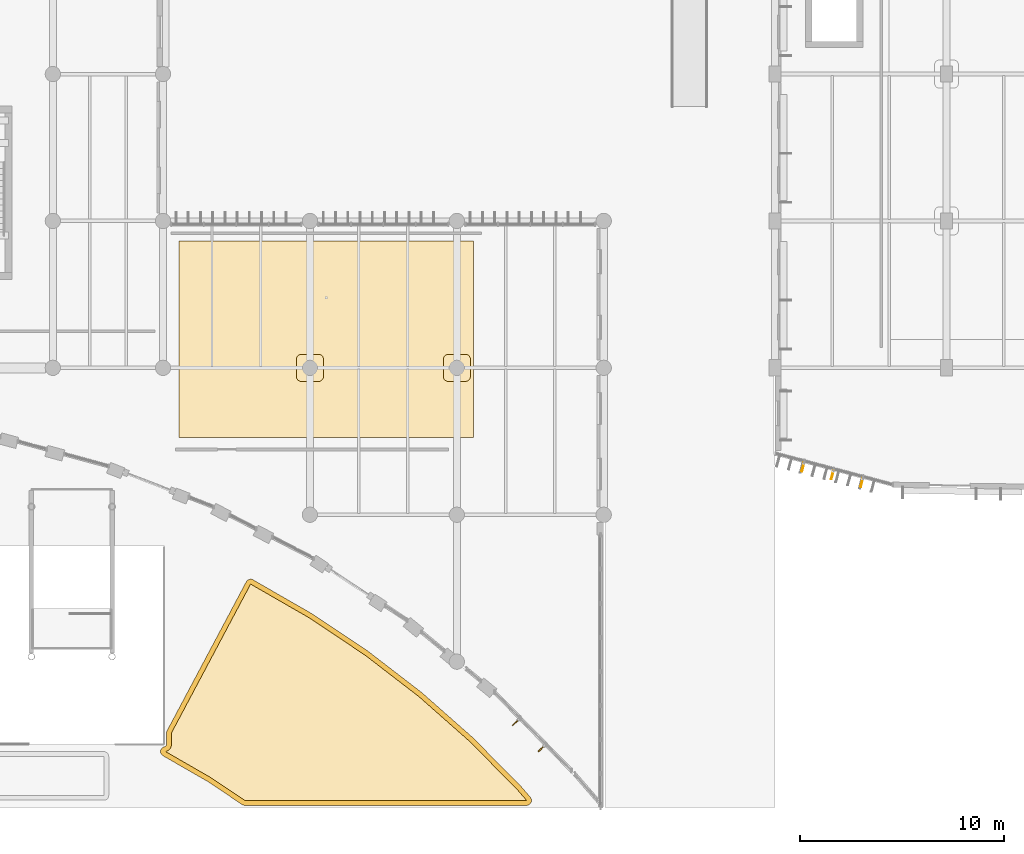
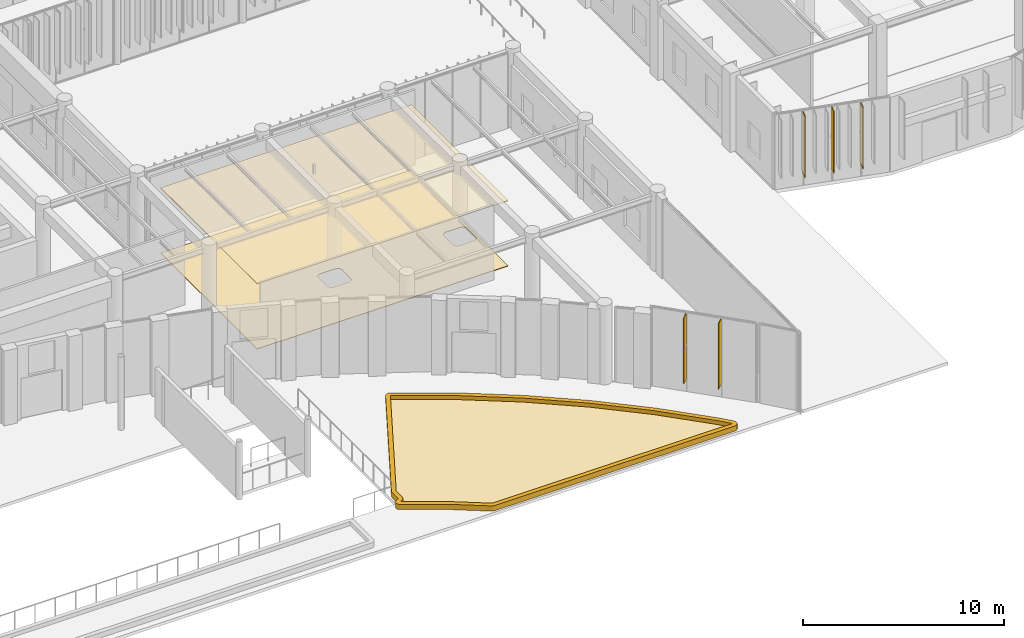
# One storey, part 111 of 122: 5 shading devices, 4 coverings.
"""IFC4 building model written with IfcOpenShell, lengths in metres."""

from ifc_helpers import new_model, si_unit, direction, frame, origin, origin_2d, place, context, subcontext, project, spatial, polyline, rectangle, outline, extrude, material, layer, layer_set, type_object, element, save


model = new_model("IFC4")

# Units and contexts
model_context = context("Model", 3, precision=1e-05, world=origin(), true_north=direction((0.0, 1.0)))
body_context = subcontext(model_context, "Body", "Model", "MODEL_VIEW")
ifc_project = project(units=[si_unit("LENGTHUNIT", "METRE"), si_unit("AREAUNIT", "SQUARE_METRE"), si_unit("VOLUMEUNIT", "CUBIC_METRE"), si_unit("PLANEANGLEUNIT", "RADIAN"), si_unit("MASSUNIT", "GRAM", prefix="KILO")], contexts=[model_context])

# Site, building, storey
site_placement = place(None, origin())
site = spatial("IfcSite", under=ifc_project, at=site_placement, CompositionType="ELEMENT")
building_placement = place(site_placement, origin())
building = spatial("IfcBuilding", under=site, at=building_placement, Name="Tazoul Stagehouse", CompositionType="ELEMENT")
storey_placement = place(building_placement, origin())
storey = spatial("IfcBuildingStorey", under=building, at=storey_placement, Name="L00", CompositionType="ELEMENT", Elevation=0.0)

# Shading devices
ifc_material_1 = material(Name="Anodised Bronze Aluminium 6063-T6", Category="aluminium")
ifc_layer_1 = layer(ifc_material_1, 0.050048828125, Name="Anodised Bronze Aluminium 6063-T6")
ifc_layer_set_1 = layer_set([ifc_layer_1], Name="Anodised Bronze Aluminium 6063-T6")
shading_device_type_1 = type_object("IfcShadingDeviceType", Name="Angled Acoustic Sun-Screen Blade 460", PredefinedType="USERDEFINED", material=ifc_layer_set_1)
shading_device_1_placement = place(storey_placement, frame((112.699951171875, 5.634521484375, 0.75), z_axis=(0.0, 0.0, 1.0), x_axis=(0.700246698398, -0.713900946479, 0.0)))
element("IfcShadingDevice", 1, at=shading_device_1_placement, inside=storey, type_object=shading_device_type_1, Name="Shading Louvre FIN-02 CW-V5-CRN-L00-C17-SHD01", ObjectType="FIN", PredefinedType="USERDEFINED", context=body_context, shape_type="SweptSolid", body=[
    extrude(rectangle(XDim=0.044921875, YDim=0.4599609375, at=origin_2d()), origin(), (0.0, 0.0, 1.0), 3.989990234375),
])
for number, where, z_axis, x_axis, name in (
    (2, (126.767578125, 18.146484375, 0.75), (0.0, 0.0, 1.0), (0.966413318036, -0.256992798969, 0.0), "Shading Louvre FIN-02 CW-V4-DRUM-L00-S01-SHD01"),
    (3, (129.647216796875, 17.380859375, 0.75), (0.0, 0.0, 1.0), (0.966413318036, -0.256992798969, 0.0), "Shading Louvre FIN-02 CW-V4-DRUM-L00-S01-SHD03"),
):
    element("IfcShadingDevice", number, at=place(storey_placement, frame(where, z_axis=z_axis, x_axis=x_axis)), inside=storey, type_object=shading_device_type_1, Name=name, ObjectType="FIN", PredefinedType="USERDEFINED", context=body_context, shape_type="SweptSolid", body=[
        extrude(rectangle(XDim=0.044921875, YDim=0.4599609375, at=origin_2d()), origin(), (0.0, 0.0, 1.0), 3.75),
    ])

# Coverings
ifc_material_2 = material(Name="Gypsum Acoustic Partition", Category="gypsum")
ifc_layer_2 = layer(ifc_material_2, 0.034912109375, Name="Gypsum Acoustic Partition")
ifc_layer_set_2 = layer_set([ifc_layer_2], Name="Gypsum Acoustic Partition")
covering_type_1 = type_object("IfcCoveringType", Name="Gypsum Acoustic Foyer Suspended Ceiling 35", PredefinedType="CEILING", material=ifc_layer_set_2)
covering_1_placement = place(storey_placement, frame((0.0, 0.0, 3.955078125)))
element("IfcCovering", 4, at=covering_1_placement, inside=storey, type_object=covering_type_1, Name="L00 East Crescent Patron Foyer Suspended Ceiling", PredefinedType="CEILING", context=body_context, shape_type="SweptSolid", body=[
    extrude(outline(polyline([(110.610107421875, 29.2099609375), (110.610107421875, 19.590087890625), (96.18994140625, 19.590087890625), (96.18994140625, 29.2099609375), (110.610107421875, 29.2099609375)])), origin(), (0.0, 0.0, 1.0), 0.034912109375),
])
ifc_material_3 = material(Name="Honed Rabat Calcarenite Stone", Category="masonry")
ifc_layer_3 = layer(ifc_material_3, 0.320068359375, Name="Honed Rabat Calcarenite Stone")
ifc_layer_set_3 = layer_set([ifc_layer_3], Name="Honed Rabat Calcarenite Stone")
covering_type_2 = type_object("IfcCoveringType", Name="Honed Limestone Lawn Planter Curb 320", PredefinedType="MOLDING", material=ifc_layer_set_3)
covering_2_placement = place(storey_placement, origin())
element("IfcCovering", 5, at=covering_2_placement, inside=storey, type_object=covering_type_2, Name="L00 Crescent Lawn Stone Curb (EAST)", PredefinedType="MOLDING", context=body_context, shape_type="SweptSolid", body=[
    extrude(outline(polyline([(95.49169921875, 4.43505859375), (95.501953125, 4.438720703125), (95.51171875, 4.443115234375), (95.52099609375, 4.44873046875), (95.529541015625, 4.455078125), (95.53759765625, 4.46240234375), (95.544921875, 4.470458984375), (95.55126953125, 4.47900390625), (95.556884765625, 4.48828125), (95.561279296875, 4.498046875), (95.56494140625, 4.50830078125), (95.567626953125, 4.5185546875), (95.569091796875, 4.529296875), (95.570068359375, 4.5458984375), (95.570068359375, 5.101806640625), (95.571044921875, 5.125244140625), (95.57470703125, 5.1484375), (95.580078125, 5.171142578125), (95.588134765625, 5.193115234375), (95.59814453125, 5.21435546875), (99.47998046875, 12.515380859375), (99.4921875, 12.535888671875), (99.506591796875, 12.55517578125), (99.52294921875, 12.572998046875), (99.540771484375, 12.589111328125), (99.560302734375, 12.603271484375), (99.5810546875, 12.615478515625), (99.602783203125, 12.62548828125), (99.62548828125, 12.63330078125), (99.64892578125, 12.638671875), (99.6728515625, 12.641845703125), (99.697021484375, 12.642578125), (99.720947265625, 12.640869140625), (99.74462890625, 12.63671875), (99.767822265625, 12.63037109375), (99.790283203125, 12.62158203125), (99.8115234375, 12.610595703125), (102.67578125, 10.96240234375), (102.689208984375, 10.9541015625), (105.43701171875, 9.118408203125), (105.449951171875, 9.10888671875), (108.068603515625, 7.093505859375), (108.0810546875, 7.083251953125), (110.55908203125, 4.897216796875), (110.57080078125, 4.88623046875), (112.897216796875, 2.53955078125), (112.908203125, 2.527587890625), (113.402587890625, 1.957275390625), (113.417236328125, 1.9384765625), (113.429931640625, 1.918212890625), (113.440673828125, 1.89697265625), (113.44921875, 1.874755859375), (113.45556640625, 1.851806640625), (113.45947265625, 1.828369140625), (113.461181640625, 1.804443359375), (113.46044921875, 1.78076171875), (113.457275390625, 1.757080078125), (113.451904296875, 1.73388671875), (113.444091796875, 1.711181640625), (113.434326171875, 1.689697265625), (113.42236328125, 1.6689453125), (113.408203125, 1.649658203125), (113.392578125, 1.6318359375), (113.375, 1.61572265625), (113.35595703125, 1.601318359375), (113.33544921875, 1.589111328125), (113.31396484375, 1.57861328125), (113.29150390625, 1.570556640625), (113.2685546875, 1.564697265625), (113.2451171875, 1.561279296875), (113.22119140625, 1.56005859375), (99.4072265625, 1.56005859375), (99.3837890625, 1.561279296875), (99.3603515625, 1.564697265625), (99.33740234375, 1.5703125), (99.3154296875, 1.578369140625), (99.294189453125, 1.58837890625), (99.27392578125, 1.600341796875), (97.576904296875, 2.734375), (95.3994140625, 3.9873046875), (95.37939453125, 4.000244140625), (95.36083984375, 4.014892578125), (95.34375, 4.031494140625), (95.328369140625, 4.049560546875), (95.31494140625, 4.069091796875), (95.303466796875, 4.08984375), (95.294189453125, 4.111572265625), (95.287109375, 4.13427734375), (95.281982421875, 4.157470703125), (95.279541015625, 4.180908203125), (95.279296875, 4.20458984375), (95.28125, 4.228515625), (95.28564453125, 4.251708984375), (95.29248046875, 4.2744140625), (95.301513671875, 4.29638671875), (95.3125, 4.3173828125), (95.325439453125, 4.337158203125), (95.34033203125, 4.355712890625), (95.357177734375, 4.37255859375), (95.37548828125, 4.3876953125), (95.39501953125, 4.40087890625), (95.416015625, 4.412109375), (95.43798828125, 4.421142578125), (95.460693359375, 4.427978515625), (95.47900390625, 4.431884765625), (95.49169921875, 4.43505859375)]), holes=[polyline([(95.81005859375, 5.101806640625), (95.81005859375, 4.5400390625), (95.808349609375, 4.505615234375), (95.80322265625, 4.4716796875), (95.794921875, 4.4384765625), (95.783447265625, 4.406005859375), (95.768798828125, 4.375), (95.7509765625, 4.345703125), (95.730712890625, 4.318115234375), (95.70751953125, 4.29248046875), (95.681884765625, 4.269287109375), (95.654296875, 4.2490234375), (95.625, 4.231201171875), (95.593994140625, 4.216552734375), (95.5615234375, 4.205078125), (95.5283203125, 4.19677734375), (95.51904296875, 4.1953125), (97.70361328125, 2.9384765625), (99.4072265625, 1.800048828125), (113.22119140625, 1.800048828125), (112.726806640625, 2.37060546875), (110.400390625, 4.71728515625), (107.92236328125, 6.9033203125), (105.3037109375, 8.918701171875), (102.555908203125, 10.75439453125), (99.69189453125, 12.402587890625), (95.81005859375, 5.101806640625)])]), origin(), (0.0, 0.0, 1.0), 0.320068359375),
])
ifc_layer_4 = layer(ifc_material_3, 0.030029296875, Name="Honed Rabat Calcarenite Stone")
ifc_layer_set_4 = layer_set([ifc_layer_4], Name="Honed Rabat Calcarenite Stone")
covering_type_3 = type_object("IfcCoveringType", Name="Honed Rabat Limestone Foyer Flooring 30", PredefinedType="FLOORING", material=ifc_layer_set_4)
covering_3_placement = place(storey_placement, origin())
element("IfcCovering", 6, at=covering_3_placement, inside=storey, type_object=covering_type_3, Name="L00 East Crescent Patron Foyer Flooring", PredefinedType="FLOORING", context=body_context, shape_type="SweptSolid", body=[
    extrude(outline(polyline([(110.610107421875, 29.2099609375), (110.610107421875, 19.590087890625), (96.18994140625, 19.590087890625), (96.18994140625, 29.2099609375), (110.610107421875, 29.2099609375)]), holes=[polyline([(110.4638671875, 23.439453125), (110.460205078125, 23.4638671875), (110.4541015625, 23.487548828125), (110.446044921875, 23.5107421875), (110.435546875, 23.53271484375), (110.4228515625, 23.553955078125), (110.408203125, 23.573486328125), (110.391845703125, 23.591796875), (110.37353515625, 23.6083984375), (110.35400390625, 23.622802734375), (110.332763671875, 23.635498046875), (110.310791015625, 23.64599609375), (110.28759765625, 23.654296875), (110.263916015625, 23.66015625), (110.239501953125, 23.663818359375), (110.215087890625, 23.6650390625), (109.385009765625, 23.6650390625), (109.360595703125, 23.663818359375), (109.336181640625, 23.66015625), (109.3125, 23.654296875), (109.289306640625, 23.64599609375), (109.26708984375, 23.635498046875), (109.24609375, 23.622802734375), (109.226318359375, 23.6083984375), (109.208251953125, 23.591796875), (109.191650390625, 23.573486328125), (109.177001953125, 23.553955078125), (109.16455078125, 23.53271484375), (109.154052734375, 23.5107421875), (109.145751953125, 23.487548828125), (109.139892578125, 23.4638671875), (109.13623046875, 23.439453125), (109.135009765625, 23.4150390625), (109.135009765625, 22.5849609375), (109.13623046875, 22.560546875), (109.139892578125, 22.5361328125), (109.145751953125, 22.512451171875), (109.154052734375, 22.4892578125), (109.16455078125, 22.46728515625), (109.177001953125, 22.446044921875), (109.191650390625, 22.426513671875), (109.208251953125, 22.408203125), (109.226318359375, 22.3916015625), (109.24609375, 22.377197265625), (109.26708984375, 22.364501953125), (109.289306640625, 22.35400390625), (109.3125, 22.345703125), (109.336181640625, 22.33984375), (109.360595703125, 22.336181640625), (109.385009765625, 22.3349609375), (110.215087890625, 22.3349609375), (110.239501953125, 22.336181640625), (110.263916015625, 22.33984375), (110.28759765625, 22.345703125), (110.310791015625, 22.35400390625), (110.332763671875, 22.364501953125), (110.35400390625, 22.377197265625), (110.37353515625, 22.3916015625), (110.391845703125, 22.408203125), (110.408203125, 22.426513671875), (110.4228515625, 22.446044921875), (110.435546875, 22.46728515625), (110.446044921875, 22.4892578125), (110.4541015625, 22.512451171875), (110.460205078125, 22.5361328125), (110.4638671875, 22.560546875), (110.465087890625, 22.5849609375), (110.465087890625, 23.4150390625), (110.4638671875, 23.439453125)]), polyline([(102.160400390625, 23.663818359375), (102.13623046875, 23.66015625), (102.1123046875, 23.654296875), (102.08935546875, 23.64599609375), (102.067138671875, 23.635498046875), (102.046142578125, 23.622802734375), (102.0263671875, 23.6083984375), (102.00830078125, 23.591796875), (101.99169921875, 23.573486328125), (101.97705078125, 23.553955078125), (101.964599609375, 23.53271484375), (101.9541015625, 23.5107421875), (101.94580078125, 23.487548828125), (101.939697265625, 23.4638671875), (101.936279296875, 23.439453125), (101.93505859375, 23.4150390625), (101.93505859375, 22.5849609375), (101.936279296875, 22.560546875), (101.939697265625, 22.5361328125), (101.94580078125, 22.512451171875), (101.9541015625, 22.4892578125), (101.964599609375, 22.46728515625), (101.97705078125, 22.446044921875), (101.99169921875, 22.426513671875), (102.00830078125, 22.408203125), (102.0263671875, 22.3916015625), (102.046142578125, 22.377197265625), (102.067138671875, 22.364501953125), (102.08935546875, 22.35400390625), (102.1123046875, 22.345703125), (102.13623046875, 22.33984375), (102.160400390625, 22.336181640625), (102.18505859375, 22.3349609375), (103.014892578125, 22.3349609375), (103.03955078125, 22.336181640625), (103.063720703125, 22.33984375), (103.087646484375, 22.345703125), (103.110595703125, 22.35400390625), (103.1328125, 22.364501953125), (103.15380859375, 22.377197265625), (103.173583984375, 22.3916015625), (103.19189453125, 22.408203125), (103.208251953125, 22.426513671875), (103.222900390625, 22.446044921875), (103.235595703125, 22.46728515625), (103.24609375, 22.4892578125), (103.254150390625, 22.512451171875), (103.26025390625, 22.5361328125), (103.263916015625, 22.560546875), (103.264892578125, 22.5849609375), (103.264892578125, 23.4150390625), (103.263916015625, 23.439453125), (103.26025390625, 23.4638671875), (103.254150390625, 23.487548828125), (103.24609375, 23.5107421875), (103.235595703125, 23.53271484375), (103.222900390625, 23.553955078125), (103.208251953125, 23.573486328125), (103.19189453125, 23.591796875), (103.173583984375, 23.6083984375), (103.15380859375, 23.622802734375), (103.1328125, 23.635498046875), (103.110595703125, 23.64599609375), (103.087646484375, 23.654296875), (103.063720703125, 23.66015625), (103.03955078125, 23.663818359375), (103.014892578125, 23.6650390625), (102.18505859375, 23.6650390625), (102.160400390625, 23.663818359375)])]), origin(), (0.0, 0.0, 1.0), 0.030029296875),
])
ifc_material_4 = material(Name="Vegetated Acoustic Extensive Green-Roof Substrate", Category="earth")
ifc_layer_5 = layer(ifc_material_4, 0.080078125, Name="Vegetated Acoustic Extensive Green-Roof Substrate")
ifc_layer_set_5 = layer_set([ifc_layer_5], Name="Vegetated Acoustic Extensive Green-Roof Substrate")
covering_type_4 = type_object("IfcCoveringType", Name="Irrigated Fescue Forecourt Lawn Turf 80", PredefinedType="FLOORING", material=ifc_layer_set_5)
covering_4_placement = place(storey_placement, origin())
element("IfcCovering", 7, at=covering_4_placement, inside=storey, type_object=covering_type_4, Name="L00 Crescent Forecourt Landscaped Lawn (EAST)", PredefinedType="FLOORING", context=body_context, shape_type="SweptSolid", body=[
    extrude(outline(polyline([(99.69189453125, 12.402587890625), (102.555908203125, 10.75439453125), (105.3037109375, 8.918701171875), (107.92236328125, 6.9033203125), (110.400390625, 4.71728515625), (112.726806640625, 2.37060546875), (113.22119140625, 1.800048828125), (99.4072265625, 1.800048828125), (97.70361328125, 2.9384765625), (95.51904296875, 4.1953125), (95.5283203125, 4.19677734375), (95.5615234375, 4.205078125), (95.593994140625, 4.216552734375), (95.625, 4.231201171875), (95.654296875, 4.2490234375), (95.681884765625, 4.269287109375), (95.70751953125, 4.29248046875), (95.730712890625, 4.318115234375), (95.7509765625, 4.345703125), (95.768798828125, 4.375), (95.783447265625, 4.406005859375), (95.794921875, 4.4384765625), (95.80322265625, 4.4716796875), (95.808349609375, 4.505615234375), (95.81005859375, 4.5400390625), (95.81005859375, 5.101806640625), (99.69189453125, 12.402587890625)])), origin(), (0.0, 0.0, 1.0), 0.080078125),
])

# Shading devices
ifc_layer_6 = layer(ifc_material_1, 0.044921875, Name="Anodised Bronze Aluminium 6063-T6")
ifc_layer_set_6 = layer_set([ifc_layer_6], Name="Anodised Bronze Aluminium 6063-T6")
shading_device_type_2 = type_object("IfcShadingDeviceType", Name="Vertical Extruded Terracotta-Bronze Louvre 460", PredefinedType="JALOUSIE", material=ifc_layer_set_6)
shading_device_2_placement = place(storey_placement, frame((113.9580078125, 4.35205078125, 0.75), z_axis=(0.0, 0.0, 1.0), x_axis=(0.700246698398, -0.713900946479, 0.0)))
element("IfcShadingDevice", 8, at=shading_device_2_placement, inside=storey, type_object=shading_device_type_2, Name="Shading Louvre FIN-01 CW-V5-CRN-L00-C17-SHD02", PredefinedType="JALOUSIE", context=body_context, shape_type="SweptSolid", body=[
    extrude(rectangle(XDim=0.044921875, YDim=0.4599609375, at=origin_2d()), origin(), (0.0, 0.0, 1.0), 3.989990234375),
])
shading_device_3_placement = place(storey_placement, frame((128.20751953125, 17.763671875, 0.75), z_axis=(0.0, 0.0, 1.0), x_axis=(0.966413318036, -0.256992798969, 0.0)))
element("IfcShadingDevice", 9, at=shading_device_3_placement, inside=storey, type_object=shading_device_type_2, Name="Shading Louvre FIN-01 CW-V4-DRUM-L00-S01-SHD02", PredefinedType="JALOUSIE", context=body_context, shape_type="SweptSolid", body=[
    extrude(rectangle(XDim=0.044921875, YDim=0.4599609375, at=origin_2d()), origin(), (0.0, 0.0, 1.0), 3.75),
])

save(model, "model.ifc")
